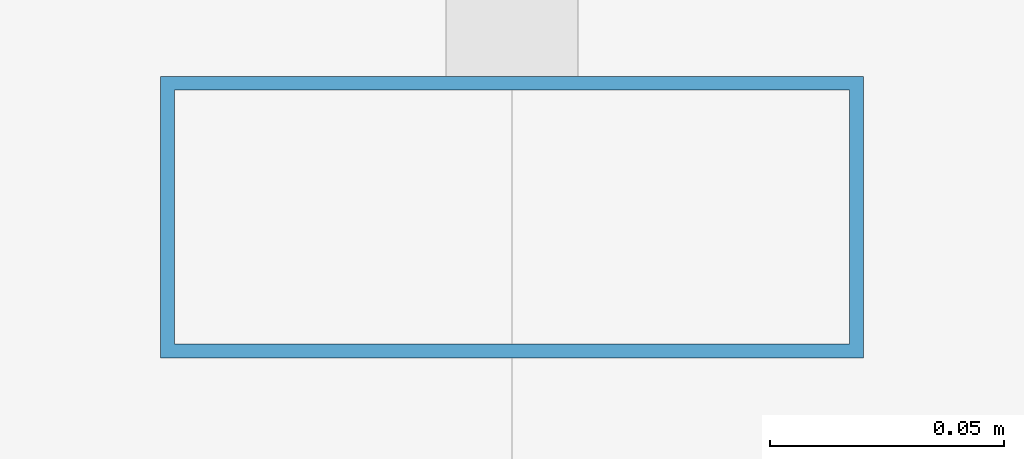
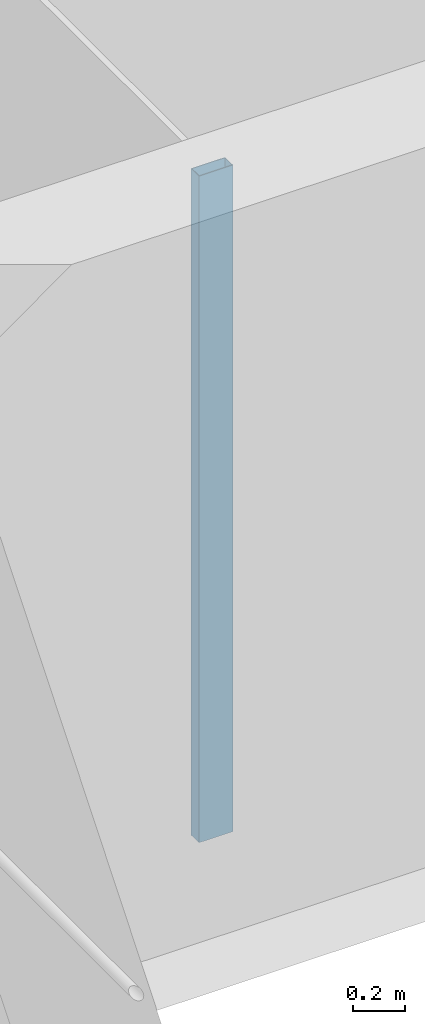
# One storey, part 11 of 30: 1 member, 1 element without a shape of its own.
"""IFC4 building model written with IfcOpenShell, lengths in metres."""

from ifc_helpers import new_model, si_unit, direction, frame, origin, origin_2d, place, context, subcontext, project, spatial, hollow_rectangle, extrude, material, material_profile, profile_set, type_object, element, aggregate, save


model = new_model("IFC4")

# Units and contexts
model_context = context("Model", 3, precision=1e-05, world=origin(), true_north=direction((0.0, 1.0)))
body_context = subcontext(model_context, "Body", "Model", "MODEL_VIEW")
ifc_project = project(units=[si_unit("LENGTHUNIT", "METRE"), si_unit("AREAUNIT", "SQUARE_METRE"), si_unit("VOLUMEUNIT", "CUBIC_METRE"), si_unit("PLANEANGLEUNIT", "RADIAN"), si_unit("MASSUNIT", "GRAM", prefix="KILO")], contexts=[model_context])

# Site, building, storey
site_placement = place(None, origin())
site = spatial("IfcSite", under=ifc_project, at=site_placement, CompositionType="ELEMENT")
building_placement = place(site_placement, origin())
building = spatial("IfcBuilding", under=site, at=building_placement, Name="Altepetl Exchange Towers", CompositionType="ELEMENT")
storey_placement = place(building_placement, frame((0.0, 0.0, 228.0)))
storey = spatial("IfcBuildingStorey", under=building, at=storey_placement, Name="L58", CompositionType="ELEMENT", Elevation=228.0)

# Curtain wall, member
ifc_material_1 = material(Name="Aluminium 6063-T6 glazing", Category="aluminium")
curtain_wall_type = type_object("IfcCurtainWallType", Name="Loggia glazing system", PredefinedType="NOTDEFINED", material=ifc_material_1)
curtain_wall_placement = place(storey_placement, origin())
curtain_wall = element("IfcCurtainWall", 1, at=curtain_wall_placement, inside=storey, type_object=curtain_wall_type, Name="CW1 run", PredefinedType="NOTDEFINED")
ifc_material_2 = material(Name="Aluminium 6063-T6", Category="aluminium")
ifc_material_profile = material_profile(ifc_material_2, hollow_rectangle(XDim=0.06005859375, YDim=0.14990234375, WallThickness=0.0029296875, at=origin_2d()), Name="Mullion 60x150 aluminium")
ifc_profile_set = profile_set([ifc_material_profile], Name="Aluminium 6063-T6")
member_type = type_object("IfcMemberType", Name="Mullion 60x150 aluminium", PredefinedType="MULLION", material=ifc_profile_set)
member_placement = place(storey_placement, frame((42.5, 58.60498046875, 0.0), z_axis=(0.0, 0.0, 1.0), x_axis=(0.0, -1.0, 0.0)))
member = element("IfcMember", 2, at=member_placement, type_object=member_type, Name="MU1 mullion", PredefinedType="MULLION", context=body_context, shape_type="SweptSolid", body=[
    extrude(hollow_rectangle(XDim=0.06005859375, YDim=0.14990234375, WallThickness=0.0029296875, at=origin_2d()), origin(), (0.0, 0.0, 1.0), 3.10009765625),
])
aggregate(curtain_wall, [member])

save(model, "model.ifc")
